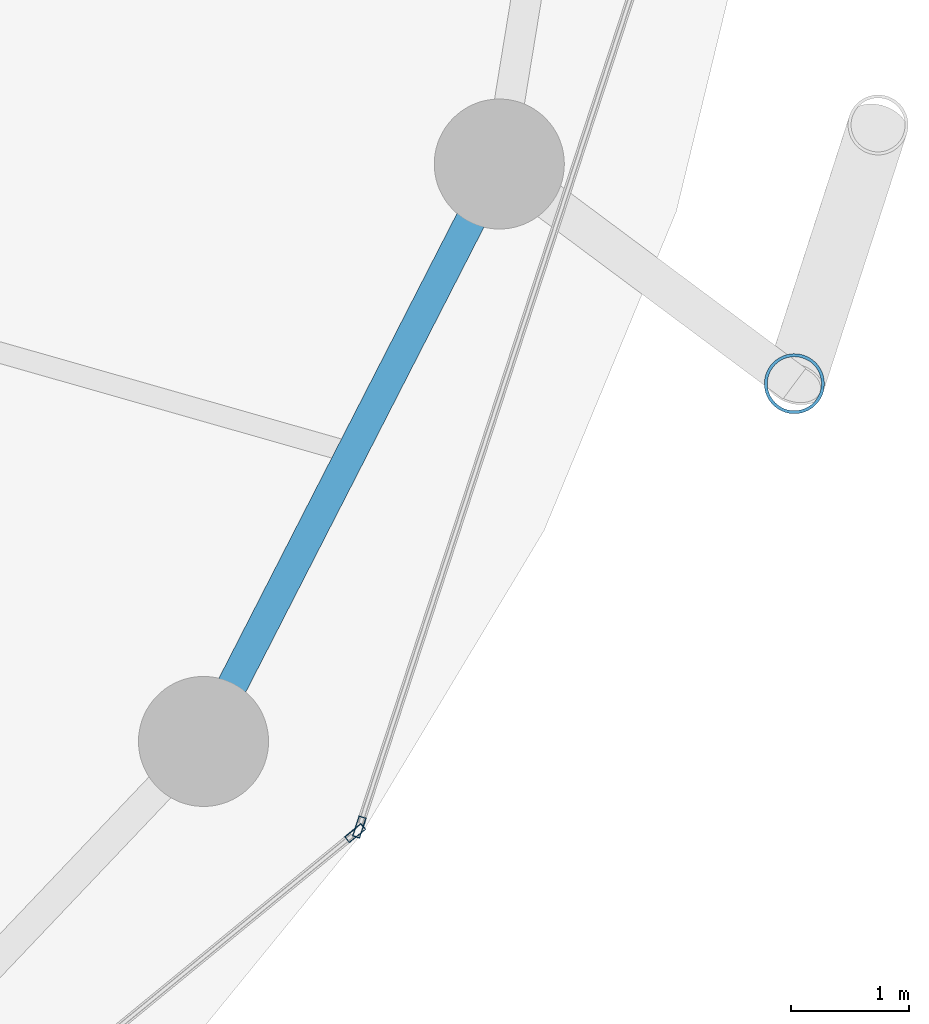
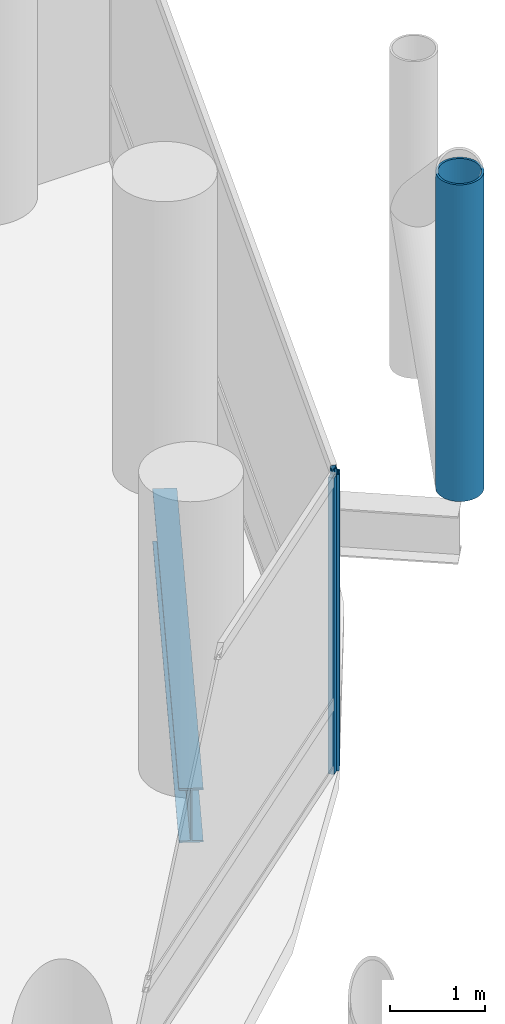
# One storey, part 10 of 24: 3 members, 1 beam, 2 elements without a shape of their own.
"""IFC4 building model written with IfcOpenShell, lengths in metres."""

from ifc_helpers import new_model, si_unit, direction, frame, origin, origin_2d, place, context, subcontext, project, spatial, hollow_rectangle, hollow_circle, i_section, extrude, material, layer, layer_set, material_profile, profile_set, type_object, element, aggregate, save


model = new_model("IFC4")

# Units and contexts
model_context = context("Model", 3, precision=1e-05, world=origin(), true_north=direction((0.0, 1.0)))
body_context = subcontext(model_context, "Body", "Model", "MODEL_VIEW")
ifc_project = project(units=[si_unit("LENGTHUNIT", "METRE"), si_unit("AREAUNIT", "SQUARE_METRE"), si_unit("VOLUMEUNIT", "CUBIC_METRE"), si_unit("PLANEANGLEUNIT", "RADIAN"), si_unit("MASSUNIT", "GRAM", prefix="KILO")], contexts=[model_context])

# Site, building, storey
site_placement = place(None, origin())
site = spatial("IfcSite", under=ifc_project, at=site_placement, CompositionType="ELEMENT")
building_placement = place(site_placement, origin())
building = spatial("IfcBuilding", under=site, at=building_placement, Name="Nuhasar Tower", CompositionType="ELEMENT")
storey_placement = place(building_placement, frame((0.0, 0.0, 29.10009765625)))
storey = spatial("IfcBuildingStorey", under=building, at=storey_placement, Name="L06", CompositionType="ELEMENT", Elevation=29.10009765625)

# Beam
ifc_material_1 = material(Name="Steel S355", Category="steel")
ifc_material_profile_1 = material_profile(ifc_material_1, i_section(OverallWidth=0.256103515625, OverallDepth=0.693115234375, WebThickness=0.014404296875, FlangeThickness=0.023681640625, at=origin_2d()), Name="W27X114")
ifc_profile_set_1 = profile_set([ifc_material_profile_1], Name="Steel S355")
beam_type = type_object("IfcBeamType", Name="BM-RING-W27X114", PredefinedType="SPANDREL", material=ifc_profile_set_1)
beam_placement = place(storey_placement, frame((60.694091796875, 16.675048828125, -0.606201171875), z_axis=(0.455930023905, 0.890015625314, 0.0), x_axis=(-0.890015625314, 0.455930023905, 0.0)))
element("IfcBeam", 1, at=beam_placement, inside=storey, type_object=beam_type, Name="L06 Perimeter Ring Spandrel 23", PredefinedType="SPANDREL", context=body_context, shape_type="SweptSolid", body=[
    extrude(i_section(OverallWidth=0.256103515625, OverallDepth=0.693115234375, WebThickness=0.014404296875, FlangeThickness=0.023681640625, at=origin_2d()), origin(), (0.0, 0.0, 1.0), 5.487548828125),
])

# Curtain wall, member
ifc_material_2 = material(Name="Aluminium 6063-T6", Category="aluminium")
ifc_layer = layer(ifc_material_2, 0.199951171875)
ifc_layer_set = layer_set([ifc_layer], Name="Aluminium 6063-T6")
curtain_wall_type = type_object("IfcCurtainWallType", Name="CW-Z1-OFF", PredefinedType="NOTDEFINED", material=ifc_layer_set)
curtain_wall_1_placement = place(storey_placement, origin())
curtain_wall_1 = element("IfcCurtainWall", 2, at=curtain_wall_1_placement, inside=storey, type_object=curtain_wall_type, Name="L06 Unitised Curtain Wall 11", PredefinedType="NOTDEFINED")
ifc_material_profile_2 = material_profile(ifc_material_2, hollow_rectangle(XDim=0.06494140625, YDim=0.179931640625, WallThickness=0.0048828125, at=origin_2d()), Name="CWM-2")
ifc_profile_set_2 = profile_set([ifc_material_profile_2], Name="Aluminium 6063-T6")
member_type_1 = type_object("IfcMemberType", Name="CW-MUL-S2", PredefinedType="MULLION", material=ifc_profile_set_2)
member_1_placement = place(storey_placement, frame((61.976806640625, 15.8994140625, 0.0), z_axis=(0.0, 0.0, 1.0), x_axis=(-0.633744593376, 0.773542364946, 0.0)))
member_1 = element("IfcMember", 3, at=member_1_placement, type_object=member_type_1, Name="CW-Z1 mullion 2", PredefinedType="MULLION", context=body_context, shape_type="SweptSolid", body=[
    extrude(hollow_rectangle(XDim=0.06494140625, YDim=0.179931640625, WallThickness=0.0048828125, at=origin_2d()), origin(), (0.0, 0.0, 1.0), 3.789794921875),
])
aggregate(curtain_wall_1, [member_1])

curtain_wall_2_placement = place(storey_placement, origin())
curtain_wall_2 = element("IfcCurtainWall", 4, at=curtain_wall_2_placement, inside=storey, type_object=curtain_wall_type, Name="L06 Unitised Curtain Wall 12", PredefinedType="NOTDEFINED")
member_2_placement = place(storey_placement, frame((62.01220703125, 15.950927734375, 0.0), z_axis=(0.0, 0.0, 1.0), x_axis=(-0.950467534571, 0.310823849997, 0.0)))
member_2 = element("IfcMember", 5, at=member_2_placement, type_object=member_type_1, Name="CW-Z1 mullion 1", PredefinedType="MULLION", context=body_context, shape_type="SweptSolid", body=[
    extrude(hollow_rectangle(XDim=0.06494140625, YDim=0.179931640625, WallThickness=0.0048828125, at=origin_2d()), origin(), (0.0, 0.0, 1.0), 3.789794921875),
])
aggregate(curtain_wall_2, [member_2])

# Member
ifc_material_3 = material(Name="Steel S460", Category="steel")
ifc_material_profile_3 = material_profile(ifc_material_3, hollow_circle(Radius=0.25390625, WallThickness=0.025390625, at=origin_2d()), Name="HSS508X25.4")
ifc_profile_set_3 = profile_set([ifc_material_profile_3], Name="Steel S460")
member_type_2 = type_object("IfcMemberType", Name="EXO-BRONZE-508", PredefinedType="BRACE", material=ifc_profile_set_3)
member_3_placement = place(storey_placement, frame((65.69189453125, 19.700927734375, 0.0), z_axis=(0.0, 0.0, 1.0), x_axis=(1.0, 0.0, 0.0)))
element("IfcMember", 6, at=member_3_placement, inside=storey, type_object=member_type_2, Name="L06 Exoskeleton Chord Column EC-12A", PredefinedType="BRACE", context=body_context, shape_type="SweptSolid", body=[
    extrude(hollow_circle(Radius=0.25390625, WallThickness=0.025390625, at=origin_2d()), origin(), (0.0, 0.0, 1.0), 4.0498046875),
])

save(model, "model.ifc")
